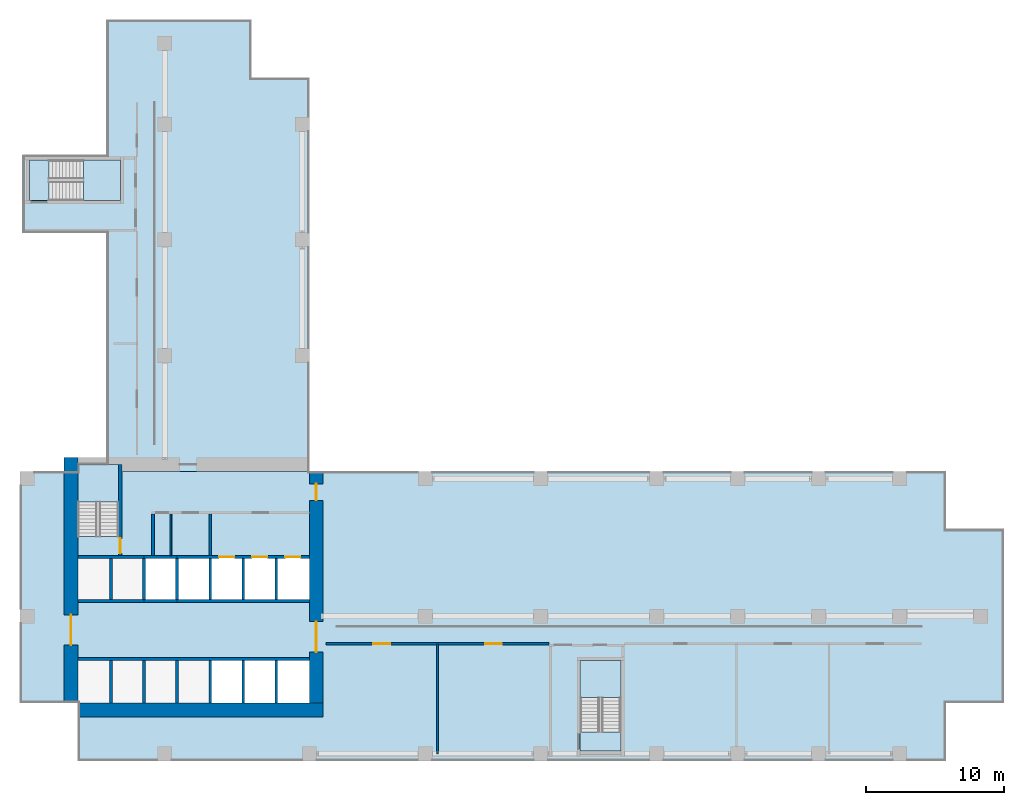
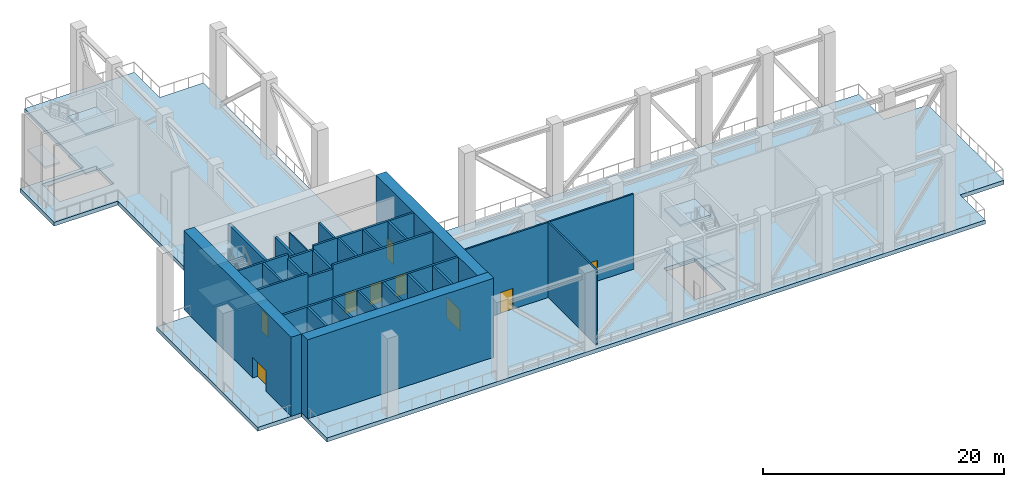
# One storey, part 2 of 10: 28 walls, 11 slabs, 9 doors, 9 openings, 3 elements without a shape of their own.
"""IFC4 building model written with IfcOpenShell, lengths in metres."""

from ifc_helpers import new_model, si_unit, direction, frame, frame_2d, origin, place, context, subcontext, project, spatial, polyline, rectangle, outline, extrude, source, transform, mapped, material, layer, layer_set, type_object, element, fill, aggregate, save


model = new_model("IFC4")

# Units and contexts
model_context = context("Model", 3, precision=1e-05, world=origin(), true_north=direction((0.0, 1.0)))
body_context = subcontext(model_context, "Body", "Model", "MODEL_VIEW")
ifc_project = project(units=[si_unit("LENGTHUNIT", "METRE"), si_unit("AREAUNIT", "SQUARE_METRE"), si_unit("VOLUMEUNIT", "CUBIC_METRE"), si_unit("PLANEANGLEUNIT", "RADIAN"), si_unit("MASSUNIT", "GRAM", prefix="KILO")], contexts=[model_context])

# Site, building, storey
site_placement = place(None, origin())
site = spatial("IfcSite", under=ifc_project, at=site_placement, CompositionType="ELEMENT")
building_placement = place(site_placement, origin())
building = spatial("IfcBuilding", under=site, at=building_placement, Name="Aurelian Terraces", CompositionType="ELEMENT")
storey_placement = place(building_placement, frame((0.0, 0.0, 162.3)))
storey = spatial("IfcBuildingStorey", under=building, at=storey_placement, Name="L36", CompositionType="ELEMENT", Elevation=162.3)

# Stair, slab
ifc_material_1 = material(Name="Concrete fc' 40 MPa", Category="concrete")
stair_type = type_object("IfcStairType", Name="Stair 1400", PredefinedType="HALF_TURN_STAIR", material=ifc_material_1)
stair_1_placement = place(storey_placement, origin())
stair_1 = element("IfcStair", 1, at=stair_1_placement, inside=storey, type_object=stair_type, Name="L36 S1", PredefinedType="HALF_TURN_STAIR")
ifc_layer_1 = layer(ifc_material_1, 0.2)
ifc_layer_set_1 = layer_set([ifc_layer_1], Name="Stair landing 200")
slab_type_1 = type_object("IfcSlabType", Name="Stair landing 200", PredefinedType="LANDING", material=ifc_layer_set_1)
slab_1_placement = place(storey_placement, frame((0.0, 0.0, 1.8)))
slab_1 = element("IfcSlab", 2, at=slab_1_placement, type_object=slab_type_1, Name="S1 landing 1", PredefinedType="LANDING", context=body_context, shape_type="SweptSolid", body=[
    extrude(outline(polyline([(7.15, 18.8), (7.15, 21.5), (4.2, 21.5), (4.2, 18.8), (7.15, 18.8)])), origin(), (0.0, 0.0, 1.0), 0.2),
])

stair_2_placement = place(storey_placement, origin())
stair_2 = element("IfcStair", 3, at=stair_2_placement, inside=storey, type_object=stair_type, Name="L36 S2", PredefinedType="HALF_TURN_STAIR")
slab_2_placement = place(storey_placement, frame((0.0, 0.0, 1.8)))
slab_2 = element("IfcSlab", 4, at=slab_2_placement, type_object=slab_type_1, Name="S2 landing 1", PredefinedType="LANDING", context=body_context, shape_type="SweptSolid", body=[
    extrude(outline(polyline([(43.6, 4.6), (43.6, 7.3), (40.65, 7.3), (40.65, 4.6), (43.6, 4.6)])), origin(), (0.0, 0.0, 1.0), 0.2),
])

stair_3_placement = place(storey_placement, origin())
stair_3 = element("IfcStair", 5, at=stair_3_placement, inside=storey, type_object=stair_type, Name="L36 S3", PredefinedType="HALF_TURN_STAIR")
slab_3_placement = place(storey_placement, frame((0.0, 0.0, 1.8)))
slab_3 = element("IfcSlab", 6, at=slab_3_placement, type_object=slab_type_1, Name="S3 landing 1", PredefinedType="LANDING", context=body_context, shape_type="SweptSolid", body=[
    extrude(outline(polyline([(4.6, 40.65), (7.3, 40.65), (7.3, 43.6), (4.6, 43.6), (4.6, 40.65)])), origin(), (0.0, 0.0, 1.0), 0.2),
])

# Slabs
ifc_layer_2 = layer(ifc_material_1, 0.4)
ifc_layer_set_2 = layer_set([ifc_layer_2], Name="PT FLAT PLATE 400")
slab_type_2 = type_object("IfcSlabType", Name="PT FLAT PLATE 400", PredefinedType="FLOOR", material=ifc_layer_set_2)
shared_shape_1 = source(origin(), body_context, "Body", "SweptSolid", [
    extrude(outline(polyline([(67.2, 16.8), (71.4, 16.8), (71.4, 4.2), (67.2, 4.2), (67.2, 0.0), (21.0, 0.0), (4.2, 0.0), (4.2, 4.2), (0.0, 4.2), (0.0, 21.0), (4.21, 21.0), (4.21, 16.31), (7.14, 16.31), (7.14, 21.0), (21.0, 21.0), (67.2, 21.0), (67.2, 16.8)]), holes=[polyline([(40.66, 2.11), (43.59, 2.11), (43.59, 7.29), (40.66, 7.29), (40.66, 2.11)]), polyline([(4.21, 7.49), (4.21, 4.21), (20.99, 4.21), (20.99, 7.49), (4.21, 7.49)]), polyline([(4.21, 14.89), (4.21, 11.51), (20.99, 11.51), (20.99, 14.89), (4.21, 14.89)])]), origin(), (0.0, 0.0, 1.0), 0.4),
])
slab_4_placement = place(storey_placement, frame((0.0, 0.0, -0.4)))
element("IfcSlab", 7, at=slab_4_placement, inside=storey, type_object=slab_type_2, Name="Floor slab S L36", PredefinedType="FLOOR", context=body_context, shape_type="MappedRepresentation", body=[
    mapped(shared_shape_1, transform((0.0, 0.0, 0.0), scale=1.0)),
])
shared_shape_2 = source(origin(), body_context, "Body", "SweptSolid", [
    extrude(outline(polyline([(0.2, 43.95), (6.3, 43.95), (6.3, 49.56), (6.3, 53.76), (10.5, 53.76), (16.8, 53.76), (16.8, 49.56), (21.0, 49.56), (21.0, 21.0), (7.14, 21.0), (7.14, 21.49), (4.21, 21.49), (4.21, 21.0), (4.2, 21.0), (4.2, 21.6), (6.3, 21.6), (6.3, 38.3), (0.2, 38.3), (0.2, 43.95)]), holes=[polyline([(7.29, 43.59), (2.11, 43.59), (2.11, 40.66), (7.29, 40.66), (7.29, 43.59)])]), origin(), (0.0, 0.0, 1.0), 0.4),
])
slab_5_placement = place(storey_placement, frame((0.0, 0.0, -0.4)))
element("IfcSlab", 8, at=slab_5_placement, inside=storey, type_object=slab_type_2, Name="Floor slab W L36", PredefinedType="FLOOR", context=body_context, shape_type="MappedRepresentation", body=[
    mapped(shared_shape_2, transform((0.0, 0.0, 0.0), scale=1.0)),
])

# Slab
shared_shape_3 = source(origin(), body_context, "Body", "SweptSolid", [
    extrude(outline(polyline([(7.15, 14.9), (7.15, 16.3), (4.2, 16.3), (4.2, 14.9), (7.15, 14.9)])), origin(), (0.0, 0.0, 1.0), 0.2),
])
slab_6_placement = place(storey_placement, frame((0.0, 0.0, 3.8)))
slab_6 = element("IfcSlab", 9, at=slab_6_placement, type_object=slab_type_1, Name="S1 landing 2", PredefinedType="LANDING", context=body_context, shape_type="MappedRepresentation", body=[
    mapped(shared_shape_3, transform((0.0, 0.0, 0.0), scale=1.0)),
])

shared_shape_4 = source(origin(), body_context, "Body", "SweptSolid", [
    extrude(outline(polyline([(7.15, 18.8), (7.15, 21.5), (4.2, 21.5), (4.2, 18.8), (7.15, 18.8)])), origin(), (0.0, 0.0, 1.0), 0.2),
])
slab_7_placement = place(storey_placement, frame((0.0, 0.0, 5.8)))
slab_7 = element("IfcSlab", 10, at=slab_7_placement, type_object=slab_type_1, Name="S1 landing 3", PredefinedType="LANDING", context=body_context, shape_type="MappedRepresentation", body=[
    mapped(shared_shape_4, transform((0.0, 0.0, 0.0), scale=1.0)),
])

aggregate(stair_1, [slab_1, slab_6, slab_7])

shared_shape_5 = source(origin(), body_context, "Body", "SweptSolid", [
    extrude(outline(polyline([(43.6, 0.7), (43.6, 2.1), (40.65, 2.1), (40.65, 0.7), (43.6, 0.7)])), origin(), (0.0, 0.0, 1.0), 0.2),
])
slab_8_placement = place(storey_placement, frame((0.0, 0.0, 3.8)))
slab_8 = element("IfcSlab", 11, at=slab_8_placement, type_object=slab_type_1, Name="S2 landing 2", PredefinedType="LANDING", context=body_context, shape_type="MappedRepresentation", body=[
    mapped(shared_shape_5, transform((0.0, 0.0, 0.0), scale=1.0)),
])

shared_shape_6 = source(origin(), body_context, "Body", "SweptSolid", [
    extrude(outline(polyline([(43.6, 4.6), (43.6, 7.3), (40.65, 7.3), (40.65, 4.6), (43.6, 4.6)])), origin(), (0.0, 0.0, 1.0), 0.2),
])
slab_9_placement = place(storey_placement, frame((0.0, 0.0, 5.8)))
slab_9 = element("IfcSlab", 12, at=slab_9_placement, type_object=slab_type_1, Name="S2 landing 3", PredefinedType="LANDING", context=body_context, shape_type="MappedRepresentation", body=[
    mapped(shared_shape_6, transform((0.0, 0.0, 0.0), scale=1.0)),
])

aggregate(stair_2, [slab_2, slab_8, slab_9])

shared_shape_7 = source(origin(), body_context, "Body", "SweptSolid", [
    extrude(outline(polyline([(0.7, 40.65), (2.1, 40.65), (2.1, 43.6), (0.7, 43.6), (0.7, 40.65)])), origin(), (0.0, 0.0, 1.0), 0.2),
])
slab_10_placement = place(storey_placement, frame((0.0, 0.0, 3.8)))
slab_10 = element("IfcSlab", 13, at=slab_10_placement, type_object=slab_type_1, Name="S3 landing 2", PredefinedType="LANDING", context=body_context, shape_type="MappedRepresentation", body=[
    mapped(shared_shape_7, transform((0.0, 0.0, 0.0), scale=1.0)),
])

shared_shape_8 = source(origin(), body_context, "Body", "SweptSolid", [
    extrude(outline(polyline([(4.6, 40.65), (7.3, 40.65), (7.3, 43.6), (4.6, 43.6), (4.6, 40.65)])), origin(), (0.0, 0.0, 1.0), 0.2),
])
slab_11_placement = place(storey_placement, frame((0.0, 0.0, 5.8)))
slab_11 = element("IfcSlab", 14, at=slab_11_placement, type_object=slab_type_1, Name="S3 landing 3", PredefinedType="LANDING", context=body_context, shape_type="MappedRepresentation", body=[
    mapped(shared_shape_8, transform((0.0, 0.0, 0.0), scale=1.0)),
])

aggregate(stair_3, [slab_3, slab_10, slab_11])

# Wall, opening, door
ifc_material_2 = material(Name="Concrete fc' 83 MPa", Category="concrete")
ifc_layer_3 = layer(ifc_material_2, 1.0)
ifc_layer_set_3 = layer_set([ifc_layer_3], Name="CORE WALL 1000 FC83")
wall_type_1 = type_object("IfcWallType", Name="CORE WALL 1000 FC83", PredefinedType="SHEAR", material=ifc_layer_set_3)
wall_1_placement = place(storey_placement, frame((3.7, 4.2, 0.0), z_axis=(0.0, 0.0, 1.0), x_axis=(0.0, 1.0, 0.0)))
wall_1 = element("IfcWall", 15, at=wall_1_placement, inside=storey, type_object=wall_type_1, Name="Core wall W L36", PredefinedType="SHEAR", context=body_context, shape_type="SweptSolid", body=[
    extrude(rectangle(XDim=17.8, YDim=1.0, at=frame_2d((8.9, 0.0))), origin(), (0.0, 0.0, 1.0), 8.0),
])
shared_shape_9 = source(origin(), body_context, "Body", "SweptSolid", [
    extrude(rectangle(XDim=2.2, YDim=2.1, at=frame_2d((1.1, 1.05))), frame((0.0, 0.51, 0.0), z_axis=(0.0, -1.0, 0.0), x_axis=(1.0, 0.0, 0.0)), (0.0, 0.0, 1.0), 1.02),
])
opening_1_placement = place(wall_1_placement, frame((4.2, 0.0, 0.0)))
opening_1 = element("IfcOpeningElement", 16, at=opening_1_placement, cuts=wall_1, Name="Opening 63914", PredefinedType="OPENING", context=body_context, shape_type="MappedRepresentation", body=[
    mapped(shared_shape_9, transform((0.0, 0.0, 0.0), scale=1.0)),
])
ifc_material_3 = material(Name="Steel door leaf", Category="steel")
door_type_1 = type_object("IfcDoorType", Name="Core double door 2200x2100", OperationType="DOUBLE_DOOR_SINGLE_SWING", PredefinedType="DOOR", material=ifc_material_3)
shared_shape_10 = source(origin(), body_context, "Body", "SweptSolid", [
    extrude(rectangle(XDim=2.2, YDim=2.1, at=frame_2d((1.1, 1.05))), frame((0.0, 0.025, 0.0), z_axis=(0.0, -1.0, 0.0), x_axis=(1.0, 0.0, 0.0)), (0.0, 0.0, 1.0), 0.05),
])
door_1_placement = place(opening_1_placement, origin())
door_1 = element("IfcDoor", 17, at=door_1_placement, inside=storey, type_object=door_type_1, Name="Core door 63914", OperationType="DOUBLE_DOOR_SINGLE_SWING", OverallHeight=2.1, OverallWidth=2.2, PredefinedType="DOOR", context=body_context, shape_type="MappedRepresentation", body=[
    mapped(shared_shape_10, transform((0.0, 0.0, 0.0), scale=1.0)),
])
fill(opening_1, door_1)

# Wall, openings, doors
wall_2_placement = place(storey_placement, frame((21.5, 4.2, 0.0), z_axis=(0.0, 0.0, 1.0), x_axis=(0.0, 1.0, 0.0)))
wall_2 = element("IfcWall", 18, at=wall_2_placement, inside=storey, type_object=wall_type_1, Name="Core wall E L36", PredefinedType="SHEAR", context=body_context, shape_type="SweptSolid", body=[
    extrude(rectangle(XDim=16.8, YDim=1.0, at=frame_2d((8.4, 0.0))), origin(), (0.0, 0.0, 1.0), 8.0),
])
opening_2_placement = place(wall_2_placement, frame((3.7, 0.0, 0.0)))
opening_2 = element("IfcOpeningElement", 19, at=opening_2_placement, cuts=wall_2, Name="Opening 63913", PredefinedType="OPENING", context=body_context, shape_type="MappedRepresentation", body=[
    mapped(shared_shape_9, transform((0.0, 0.0, 0.0), scale=1.0)),
])
shared_shape_11 = source(origin(), body_context, "Body", "SweptSolid", [
    extrude(rectangle(XDim=1.2, YDim=2.1, at=frame_2d((0.6, 1.05))), frame((0.0, 0.51, 0.0), z_axis=(0.0, -1.0, 0.0), x_axis=(1.0, 0.0, 0.0)), (0.0, 0.0, 1.0), 1.02),
])
opening_3_placement = place(wall_2_placement, frame((14.7, 0.0, 0.0)))
opening_3 = element("IfcOpeningElement", 20, at=opening_3_placement, cuts=wall_2, Name="Opening 63916", PredefinedType="OPENING", context=body_context, shape_type="MappedRepresentation", body=[
    mapped(shared_shape_11, transform((0.0, 0.0, 0.0), scale=1.0)),
])
door_type_2 = type_object("IfcDoorType", Name="Core fire door 1200x2100", OperationType="SINGLE_SWING_LEFT", PredefinedType="DOOR", material=ifc_material_3)
shared_shape_12 = source(origin(), body_context, "Body", "SweptSolid", [
    extrude(rectangle(XDim=1.2, YDim=2.1, at=frame_2d((0.6, 1.05))), frame((0.0, 0.025, 0.0), z_axis=(0.0, -1.0, 0.0), x_axis=(1.0, 0.0, 0.0)), (0.0, 0.0, 1.0), 0.05),
])
door_2_placement = place(opening_3_placement, origin())
door_2 = element("IfcDoor", 21, at=door_2_placement, inside=storey, type_object=door_type_2, Name="Core door 63916", OperationType="SINGLE_SWING_LEFT", OverallHeight=2.1, OverallWidth=1.2, PredefinedType="DOOR", context=body_context, shape_type="MappedRepresentation", body=[
    mapped(shared_shape_12, transform((0.0, 0.0, 0.0), scale=1.0)),
])
fill(opening_3, door_2)
door_3_placement = place(opening_2_placement, origin())
door_3 = element("IfcDoor", 22, at=door_3_placement, inside=storey, type_object=door_type_1, Name="Core door 63913", OperationType="DOUBLE_DOOR_SINGLE_SWING", OverallHeight=2.1, OverallWidth=2.2, PredefinedType="DOOR", context=body_context, shape_type="MappedRepresentation", body=[
    mapped(shared_shape_10, transform((0.0, 0.0, 0.0), scale=1.0)),
])
fill(opening_2, door_3)

# Walls
ifc_material_4 = material(Name="Gypsum board on steel studs", Category="steel")
ifc_layer_4 = layer(ifc_material_4, 0.1)
ifc_layer_set_4 = layer_set([ifc_layer_4], Name="Core partition 100")
wall_type_2 = type_object("IfcWallType", Name="Core partition 100", PredefinedType="PARTITIONING", material=ifc_layer_set_4)
wall_3_placement = place(storey_placement, frame((10.95, 14.9, 0.0), z_axis=(0.0, 0.0, 1.0), x_axis=(0.0, 1.0, 0.0)))
element("IfcWall", 23, at=wall_3_placement, inside=storey, type_object=wall_type_2, Name="L36 core wall CP-SV1", PredefinedType="PARTITIONING", context=body_context, shape_type="SweptSolid", body=[
    extrude(rectangle(XDim=3.0, YDim=0.1, at=frame_2d((1.5, 0.0))), origin(), (0.0, 0.0, 1.0), 7.6),
])
ifc_layer_5 = layer(ifc_material_4, 0.2)
ifc_layer_set_5 = layer_set([ifc_layer_5], Name="Core partition 200")
wall_type_3 = type_object("IfcWallType", Name="Core partition 200", PredefinedType="PARTITIONING", material=ifc_layer_set_5)
wall_4_placement = place(storey_placement, frame((9.65, 14.9, 0.0), z_axis=(0.0, 0.0, 1.0), x_axis=(0.0, 1.0, 0.0)))
element("IfcWall", 24, at=wall_4_placement, inside=storey, type_object=wall_type_3, Name="L36 core wall CP-VEST", PredefinedType="PARTITIONING", context=body_context, shape_type="SweptSolid", body=[
    extrude(rectangle(XDim=3.0, YDim=0.2, at=frame_2d((1.5, 0.0))), origin(), (0.0, 0.0, 1.0), 7.6),
])
ifc_layer_6 = layer(ifc_material_1, 0.2)
ifc_layer_set_6 = layer_set([ifc_layer_6], Name="Lift shaft wall 200")
wall_type_4 = type_object("IfcWallType", Name="Lift shaft wall 200", PredefinedType="SOLIDWALL", material=ifc_layer_set_6)
wall_5_placement = place(storey_placement, frame((6.6, 4.2, 0.0), z_axis=(0.0, 0.0, 1.0), x_axis=(0.0, 1.0, 0.0)))
element("IfcWall", 25, at=wall_5_placement, inside=storey, type_object=wall_type_4, Name="L36 core wall CD-A1", PredefinedType="SOLIDWALL", context=body_context, shape_type="SweptSolid", body=[
    extrude(rectangle(XDim=3.1, YDim=0.2, at=frame_2d((1.55, 0.0))), origin(), (0.0, 0.0, 1.0), 8.0),
])
wall_6_placement = place(storey_placement, frame((6.6, 11.7, 0.0), z_axis=(0.0, 0.0, 1.0), x_axis=(0.0, 1.0, 0.0)))
element("IfcWall", 26, at=wall_6_placement, inside=storey, type_object=wall_type_4, Name="L36 core wall CD-B1", PredefinedType="SOLIDWALL", context=body_context, shape_type="SweptSolid", body=[
    extrude(rectangle(XDim=3.0, YDim=0.2, at=frame_2d((1.5, 0.0))), origin(), (0.0, 0.0, 1.0), 8.0),
])
wall_7_placement = place(storey_placement, frame((9.0, 11.7, 0.0), z_axis=(0.0, 0.0, 1.0), x_axis=(0.0, 1.0, 0.0)))
element("IfcWall", 27, at=wall_7_placement, inside=storey, type_object=wall_type_4, Name="L36 core wall CD-B2", PredefinedType="SOLIDWALL", context=body_context, shape_type="SweptSolid", body=[
    extrude(rectangle(XDim=3.0, YDim=0.2, at=frame_2d((1.5, 0.0))), origin(), (0.0, 0.0, 1.0), 7.6),
])
wall_8_placement = place(storey_placement, frame((4.2, 7.4, 0.0), z_axis=(0.0, 0.0, 1.0), x_axis=(1.0, 0.0, 0.0)))
element("IfcWall", 28, at=wall_8_placement, inside=storey, type_object=wall_type_4, Name="L36 core wall CF-AF1", PredefinedType="SOLIDWALL", context=body_context, shape_type="SweptSolid", body=[
    extrude(rectangle(XDim=16.8, YDim=0.2, at=frame_2d((8.4, 0.0))), origin(), (0.0, 0.0, 1.0), 8.0),
])
wall_9_placement = place(storey_placement, frame((4.2, 11.6, 0.0), z_axis=(0.0, 0.0, 1.0), x_axis=(1.0, 0.0, 0.0)))
element("IfcWall", 29, at=wall_9_placement, inside=storey, type_object=wall_type_4, Name="L36 core wall CF-BF1", PredefinedType="SOLIDWALL", context=body_context, shape_type="SweptSolid", body=[
    extrude(rectangle(XDim=4.8, YDim=0.2, at=frame_2d((2.4, 0.0))), origin(), (0.0, 0.0, 1.0), 8.0),
])
wall_10_placement = place(storey_placement, frame((9.0, 11.6, 0.0), z_axis=(0.0, 0.0, 1.0), x_axis=(1.0, 0.0, 0.0)))
element("IfcWall", 30, at=wall_10_placement, inside=storey, type_object=wall_type_4, Name="L36 core wall CF-BF2", PredefinedType="SOLIDWALL", context=body_context, shape_type="SweptSolid", body=[
    extrude(rectangle(XDim=2.4, YDim=0.2, at=frame_2d((1.2, 0.0))), origin(), (0.0, 0.0, 1.0), 7.6),
])
wall_11_placement = place(storey_placement, frame((11.4, 11.6, 0.0), z_axis=(0.0, 0.0, 1.0), x_axis=(1.0, 0.0, 0.0)))
element("IfcWall", 31, at=wall_11_placement, inside=storey, type_object=wall_type_4, Name="L36 core wall CF-BF3", PredefinedType="SOLIDWALL", context=body_context, shape_type="SweptSolid", body=[
    extrude(rectangle(XDim=9.6, YDim=0.2, at=frame_2d((4.8, 0.0))), origin(), (0.0, 0.0, 1.0), 8.0),
])

# Wall, openings, doors
ifc_layer_7 = layer(ifc_material_4, 0.15)
ifc_layer_set_7 = layer_set([ifc_layer_7], Name="Special partition 150")
wall_type_5 = type_object("IfcWallType", Name="Special partition 150", PredefinedType="PARTITIONING", material=ifc_layer_set_7)
wall_12_placement = place(storey_placement, frame((22.2, 8.5, 0.0), z_axis=(0.0, 0.0, 1.0), x_axis=(1.0, 0.0, 0.0)))
wall_12 = element("IfcWall", 32, at=wall_12_placement, inside=storey, type_object=wall_type_5, Name="L36 partition W01", PredefinedType="PARTITIONING", context=body_context, shape_type="SweptSolid", body=[
    extrude(rectangle(XDim=16.2, YDim=0.15, at=frame_2d((8.1, 0.0))), origin(), (0.0, 0.0, 1.0), 7.6),
])
shared_shape_13 = source(origin(), body_context, "Body", "SweptSolid", [
    extrude(rectangle(XDim=1.2, YDim=2.1, at=frame_2d((0.6, 1.05))), frame((0.0, 0.085, 0.0), z_axis=(0.0, -1.0, 0.0), x_axis=(1.0, 0.0, 0.0)), (0.0, 0.0, 1.0), 0.17),
])
opening_4_placement = place(wall_12_placement, frame((3.45, 0.0, 0.0)))
opening_4 = element("IfcOpeningElement", 33, at=opening_4_placement, cuts=wall_12, Name="Opening 73901", PredefinedType="OPENING", context=body_context, shape_type="MappedRepresentation", body=[
    mapped(shared_shape_13, transform((0.0, 0.0, 0.0), scale=1.0)),
])
opening_5_placement = place(wall_12_placement, frame((11.55, 0.0, 0.0)))
opening_5 = element("IfcOpeningElement", 34, at=opening_5_placement, cuts=wall_12, Name="Opening 73902", PredefinedType="OPENING", context=body_context, shape_type="MappedRepresentation", body=[
    mapped(shared_shape_13, transform((0.0, 0.0, 0.0), scale=1.0)),
])
door_type_3 = type_object("IfcDoorType", Name="Special door 1200x2100", OperationType="SINGLE_SWING_LEFT", PredefinedType="DOOR", material=ifc_material_3)
door_4_placement = place(opening_4_placement, origin())
door_4 = element("IfcDoor", 35, at=door_4_placement, inside=storey, type_object=door_type_3, Name="Door 73901", OperationType="SINGLE_SWING_LEFT", OverallHeight=2.1, OverallWidth=1.2, PredefinedType="DOOR", context=body_context, shape_type="MappedRepresentation", body=[
    mapped(shared_shape_12, transform((0.0, 0.0, 0.0), scale=1.0)),
])
fill(opening_4, door_4)
door_type_4 = type_object("IfcDoorType", Name="Special door 1200x2100 right", OperationType="SINGLE_SWING_RIGHT", PredefinedType="DOOR", material=ifc_material_3)
door_5_placement = place(opening_5_placement, origin())
door_5 = element("IfcDoor", 36, at=door_5_placement, inside=storey, type_object=door_type_4, Name="Door 73902", OperationType="SINGLE_SWING_RIGHT", OverallHeight=2.1, OverallWidth=1.2, PredefinedType="DOOR", context=body_context, shape_type="MappedRepresentation", body=[
    mapped(shared_shape_12, transform((0.0, 0.0, 0.0), scale=1.0)),
])
fill(opening_5, door_5)

# Wall
wall_13_placement = place(storey_placement, frame((30.3, 0.5, 0.0), z_axis=(0.0, 0.0, 1.0), x_axis=(0.0, 1.0, 0.0)))
element("IfcWall", 37, at=wall_13_placement, inside=storey, type_object=wall_type_5, Name="L36 partition W06", PredefinedType="PARTITIONING", context=body_context, shape_type="SweptSolid", body=[
    extrude(rectangle(XDim=8.0, YDim=0.15, at=frame_2d((4.0, 0.0))), origin(), (0.0, 0.0, 1.0), 7.6),
])

# Wall, opening, door
ifc_layer_8 = layer(ifc_material_1, 0.25)
ifc_layer_set_8 = layer_set([ifc_layer_8], Name="Stair enclosure wall 250")
wall_type_6 = type_object("IfcWallType", Name="Stair enclosure wall 250", PredefinedType="SOLIDWALL", material=ifc_layer_set_8)
wall_14_placement = place(storey_placement, frame((7.275, 14.9, 0.0), z_axis=(0.0, 0.0, 1.0), x_axis=(0.0, 1.0, 0.0)))
wall_14 = element("IfcWall", 38, at=wall_14_placement, inside=storey, type_object=wall_type_6, Name="L36 core wall ST-S1-E", PredefinedType="SOLIDWALL", context=body_context, shape_type="SweptSolid", body=[
    extrude(rectangle(XDim=6.6, YDim=0.25, at=frame_2d((3.3, 0.0))), origin(), (0.0, 0.0, 1.0), 7.6),
])
shared_shape_14 = source(origin(), body_context, "Body", "SweptSolid", [
    extrude(rectangle(XDim=1.1, YDim=2.1, at=frame_2d((0.55, 1.05))), frame((0.0, 0.135, 0.0), z_axis=(0.0, -1.0, 0.0), x_axis=(1.0, 0.0, 0.0)), (0.0, 0.0, 1.0), 0.27),
])
opening_6_placement = place(wall_14_placement, frame((0.15, 0.0, 0.0)))
opening_6 = element("IfcOpeningElement", 39, at=opening_6_placement, cuts=wall_14, Name="Opening 63903", PredefinedType="OPENING", context=body_context, shape_type="MappedRepresentation", body=[
    mapped(shared_shape_14, transform((0.0, 0.0, 0.0), scale=1.0)),
])
door_type_5 = type_object("IfcDoorType", Name="Core fire door 1100x2100", OperationType="SINGLE_SWING_LEFT", PredefinedType="DOOR", material=ifc_material_3)
shared_shape_15 = source(origin(), body_context, "Body", "SweptSolid", [
    extrude(rectangle(XDim=1.1, YDim=2.1, at=frame_2d((0.55, 1.05))), frame((0.0, 0.025, 0.0), z_axis=(0.0, -1.0, 0.0), x_axis=(1.0, 0.0, 0.0)), (0.0, 0.0, 1.0), 0.05),
])
door_6_placement = place(opening_6_placement, origin())
door_6 = element("IfcDoor", 40, at=door_6_placement, inside=storey, type_object=door_type_5, Name="Stair door 63903", OperationType="SINGLE_SWING_LEFT", OverallHeight=2.1, OverallWidth=1.1, PredefinedType="DOOR", context=body_context, shape_type="MappedRepresentation", body=[
    mapped(shared_shape_15, transform((0.0, 0.0, 0.0), scale=1.0)),
])
fill(opening_6, door_6)

# Walls
shared_shape_16 = source(origin(), body_context, "Body", "SweptSolid", [
    extrude(rectangle(XDim=17.8, YDim=1.0, at=frame_2d((8.9, 0.0))), origin(), (0.0, 0.0, 1.0), 8.0),
])
wall_15_placement = place(storey_placement, frame((4.2, 3.7, 0.0), z_axis=(0.0, 0.0, 1.0), x_axis=(1.0, 0.0, 0.0)))
element("IfcWall", 41, at=wall_15_placement, inside=storey, type_object=wall_type_1, Name="Core wall S L36", PredefinedType="SHEAR", context=body_context, shape_type="MappedRepresentation", body=[
    mapped(shared_shape_16, transform((0.0, 0.0, 0.0), scale=1.0)),
])
shared_shape_17 = source(origin(), body_context, "Body", "SweptSolid", [
    extrude(rectangle(XDim=3.1, YDim=0.2, at=frame_2d((1.55, 0.0))), origin(), (0.0, 0.0, 1.0), 8.0),
])
for number, where, z_axis, x_axis, name in (
    (42, (9.0, 4.2, 0.0), (0.0, 0.0, 1.0), (0.0, 1.0, 0.0), "L36 core wall CD-A2"),
    (43, (11.4, 4.2, 0.0), (0.0, 0.0, 1.0), (0.0, 1.0, 0.0), "L36 core wall CD-A3"),
    (44, (13.8, 4.2, 0.0), (0.0, 0.0, 1.0), (0.0, 1.0, 0.0), "L36 core wall CD-A4"),
    (45, (16.2, 4.2, 0.0), (0.0, 0.0, 1.0), (0.0, 1.0, 0.0), "L36 core wall CD-A5"),
    (46, (18.6, 4.2, 0.0), (0.0, 0.0, 1.0), (0.0, 1.0, 0.0), "L36 core wall CD-A6"),
):
    element("IfcWall", number, at=place(storey_placement, frame(where, z_axis=z_axis, x_axis=x_axis)), inside=storey, type_object=wall_type_4, Name=name, PredefinedType="SOLIDWALL", context=body_context, shape_type="MappedRepresentation", body=[
        mapped(shared_shape_17, transform((0.0, 0.0, 0.0), scale=1.0)),
    ])
shared_shape_18 = source(origin(), body_context, "Body", "SweptSolid", [
    extrude(rectangle(XDim=3.0, YDim=0.2, at=frame_2d((1.5, 0.0))), origin(), (0.0, 0.0, 1.0), 7.6),
])
wall_16_placement = place(storey_placement, frame((11.4, 11.7, 0.0), z_axis=(0.0, 0.0, 1.0), x_axis=(0.0, 1.0, 0.0)))
element("IfcWall", 47, at=wall_16_placement, inside=storey, type_object=wall_type_4, Name="L36 core wall CD-B3", PredefinedType="SOLIDWALL", context=body_context, shape_type="MappedRepresentation", body=[
    mapped(shared_shape_18, transform((0.0, 0.0, 0.0), scale=1.0)),
])
shared_shape_19 = source(origin(), body_context, "Body", "SweptSolid", [
    extrude(rectangle(XDim=3.0, YDim=0.2, at=frame_2d((1.5, 0.0))), origin(), (0.0, 0.0, 1.0), 8.0),
])
for number, where, z_axis, x_axis, name in (
    (48, (13.8, 11.7, 0.0), (0.0, 0.0, 1.0), (0.0, 1.0, 0.0), "L36 core wall CD-B4"),
    (49, (16.2, 11.7, 0.0), (0.0, 0.0, 1.0), (0.0, 1.0, 0.0), "L36 core wall CD-B5"),
    (50, (18.6, 11.7, 0.0), (0.0, 0.0, 1.0), (0.0, 1.0, 0.0), "L36 core wall CD-B6"),
):
    element("IfcWall", number, at=place(storey_placement, frame(where, z_axis=z_axis, x_axis=x_axis)), inside=storey, type_object=wall_type_4, Name=name, PredefinedType="SOLIDWALL", context=body_context, shape_type="MappedRepresentation", body=[
        mapped(shared_shape_19, transform((0.0, 0.0, 0.0), scale=1.0)),
    ])
shared_shape_20 = source(origin(), body_context, "Body", "SweptSolid", [
    extrude(rectangle(XDim=4.8, YDim=0.2, at=frame_2d((2.4, 0.0))), origin(), (0.0, 0.0, 1.0), 8.0),
])
wall_17_placement = place(storey_placement, frame((4.2, 14.8, 0.0), z_axis=(0.0, 0.0, 1.0), x_axis=(1.0, 0.0, 0.0)))
element("IfcWall", 51, at=wall_17_placement, inside=storey, type_object=wall_type_4, Name="L36 core wall CF-BB1", PredefinedType="SOLIDWALL", context=body_context, shape_type="MappedRepresentation", body=[
    mapped(shared_shape_20, transform((0.0, 0.0, 0.0), scale=1.0)),
])
shared_shape_21 = source(origin(), body_context, "Body", "SweptSolid", [
    extrude(rectangle(XDim=2.4, YDim=0.2, at=frame_2d((1.2, 0.0))), origin(), (0.0, 0.0, 1.0), 7.6),
])
wall_18_placement = place(storey_placement, frame((9.0, 14.8, 0.0), z_axis=(0.0, 0.0, 1.0), x_axis=(1.0, 0.0, 0.0)))
element("IfcWall", 52, at=wall_18_placement, inside=storey, type_object=wall_type_4, Name="L36 core wall CF-BB2", PredefinedType="SOLIDWALL", context=body_context, shape_type="MappedRepresentation", body=[
    mapped(shared_shape_21, transform((0.0, 0.0, 0.0), scale=1.0)),
])

# Wall, openings, doors
shared_shape_22 = source(origin(), body_context, "Body", "SweptSolid", [
    extrude(rectangle(XDim=9.6, YDim=0.2, at=frame_2d((4.8, 0.0))), origin(), (0.0, 0.0, 1.0), 8.0),
])
wall_19_placement = place(storey_placement, frame((11.4, 14.8, 0.0), z_axis=(0.0, 0.0, 1.0), x_axis=(1.0, 0.0, 0.0)))
wall_19 = element("IfcWall", 53, at=wall_19_placement, inside=storey, type_object=wall_type_4, Name="L36 core wall CF-BB3", PredefinedType="SOLIDWALL", context=body_context, shape_type="MappedRepresentation", body=[
    mapped(shared_shape_22, transform((0.0, 0.0, 0.0), scale=1.0)),
])
shared_shape_23 = source(origin(), body_context, "Body", "SweptSolid", [
    extrude(rectangle(XDim=1.1, YDim=2.1, at=frame_2d((0.55, 1.05))), frame((0.0, 0.11, 0.0), z_axis=(0.0, -1.0, 0.0), x_axis=(1.0, 0.0, 0.0)), (0.0, 0.0, 1.0), 0.22),
])
opening_7_placement = place(wall_19_placement, frame((3.05, 0.0, 0.0)))
opening_7 = element("IfcOpeningElement", 54, at=opening_7_placement, cuts=wall_19, Name="Opening 63900", PredefinedType="OPENING", context=body_context, shape_type="MappedRepresentation", body=[
    mapped(shared_shape_23, transform((0.0, 0.0, 0.0), scale=1.0)),
])
opening_8_placement = place(wall_19_placement, frame((5.45, 0.0, 0.0)))
opening_8 = element("IfcOpeningElement", 55, at=opening_8_placement, cuts=wall_19, Name="Opening 63901", PredefinedType="OPENING", context=body_context, shape_type="MappedRepresentation", body=[
    mapped(shared_shape_23, transform((0.0, 0.0, 0.0), scale=1.0)),
])
opening_9_placement = place(wall_19_placement, frame((7.85, 0.0, 0.0)))
opening_9 = element("IfcOpeningElement", 56, at=opening_9_placement, cuts=wall_19, Name="Opening 63902", PredefinedType="OPENING", context=body_context, shape_type="MappedRepresentation", body=[
    mapped(shared_shape_23, transform((0.0, 0.0, 0.0), scale=1.0)),
])
ifc_material_5 = material(Name="Stainless steel", Category="steel")
door_type_6 = type_object("IfcDoorType", Name="Lift landing door 1100x2100", OperationType="SLIDING_TO_LEFT", PredefinedType="DOOR", material=ifc_material_5)
door_7_placement = place(opening_7_placement, origin())
door_7 = element("IfcDoor", 57, at=door_7_placement, inside=storey, type_object=door_type_6, Name="Lift landing door F1 L36", OperationType="SLIDING_TO_LEFT", OverallHeight=2.1, OverallWidth=1.1, PredefinedType="DOOR", context=body_context, shape_type="MappedRepresentation", body=[
    mapped(shared_shape_15, transform((0.0, 0.0, 0.0), scale=1.0)),
])
fill(opening_7, door_7)
door_8_placement = place(opening_8_placement, origin())
door_8 = element("IfcDoor", 58, at=door_8_placement, inside=storey, type_object=door_type_6, Name="Lift landing door F2 L36", OperationType="SLIDING_TO_LEFT", OverallHeight=2.1, OverallWidth=1.1, PredefinedType="DOOR", context=body_context, shape_type="MappedRepresentation", body=[
    mapped(shared_shape_15, transform((0.0, 0.0, 0.0), scale=1.0)),
])
fill(opening_8, door_8)
door_9_placement = place(opening_9_placement, origin())
door_9 = element("IfcDoor", 59, at=door_9_placement, inside=storey, type_object=door_type_6, Name="Lift landing door F3 L36", OperationType="SLIDING_TO_LEFT", OverallHeight=2.1, OverallWidth=1.1, PredefinedType="DOOR", context=body_context, shape_type="MappedRepresentation", body=[
    mapped(shared_shape_15, transform((0.0, 0.0, 0.0), scale=1.0)),
])
fill(opening_9, door_9)

# Wall
shared_shape_24 = source(origin(), body_context, "Body", "SweptSolid", [
    extrude(rectangle(XDim=3.0, YDim=0.2, at=frame_2d((1.5, 0.0))), origin(), (0.0, 0.0, 1.0), 7.6),
])
wall_20_placement = place(storey_placement, frame((13.8, 14.9, 0.0), z_axis=(0.0, 0.0, 1.0), x_axis=(0.0, 1.0, 0.0)))
element("IfcWall", 60, at=wall_20_placement, inside=storey, type_object=wall_type_3, Name="L36 core wall CP-FFL", PredefinedType="PARTITIONING", context=body_context, shape_type="MappedRepresentation", body=[
    mapped(shared_shape_24, transform((0.0, 0.0, 0.0), scale=1.0)),
])

save(model, "model.ifc")
